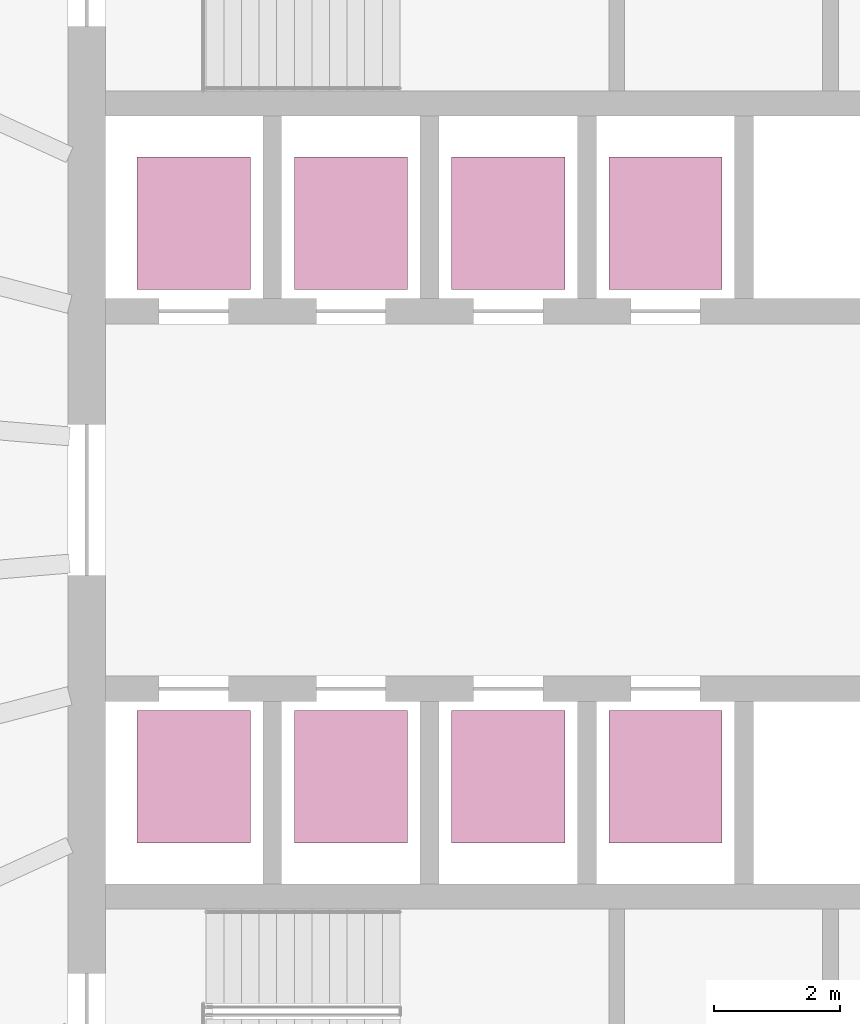
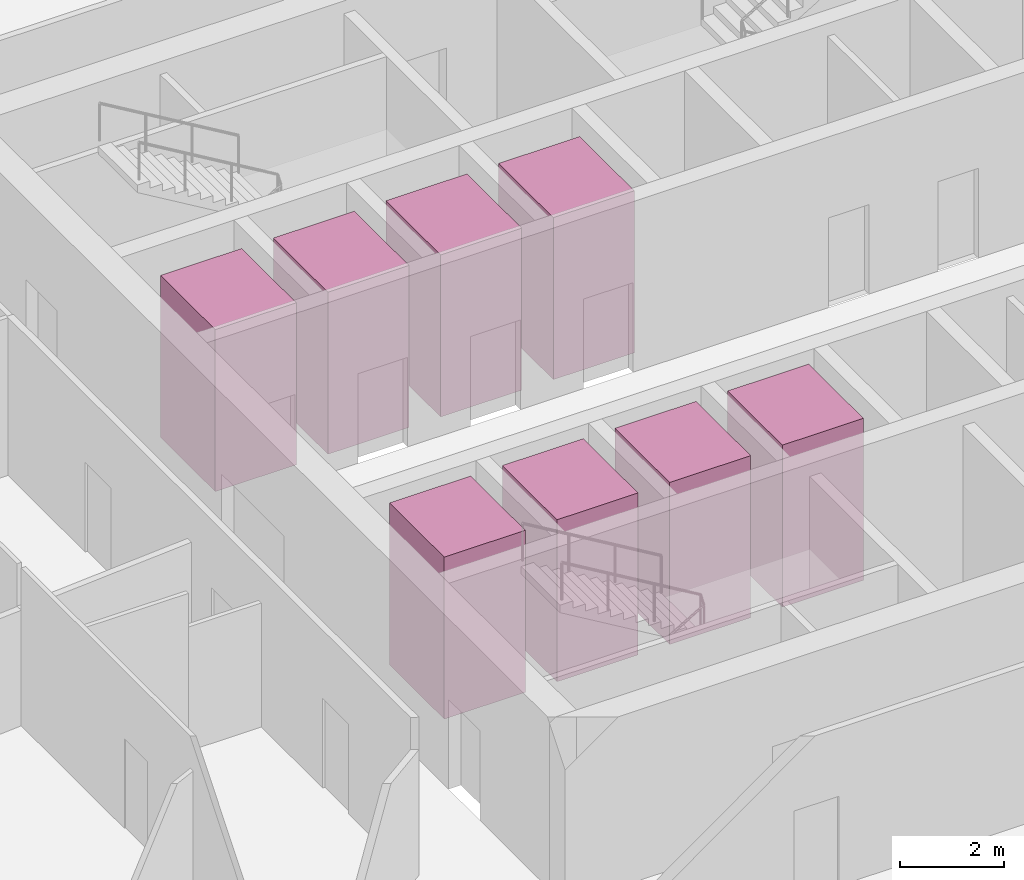
# One storey, part 11 of 11: 8 transport elements.
"""IFC4 building model written with IfcOpenShell, lengths in metres."""

from ifc_helpers import new_model, si_unit, direction, frame, origin, origin_2d, place, context, subcontext, project, spatial, rectangle, extrude, material, type_object, element, save


model = new_model("IFC4")

# Units and contexts
model_context = context("Model", 3, precision=1e-05, world=origin(), true_north=direction((0.0, 1.0)))
body_context = subcontext(model_context, "Body", "Model", "MODEL_VIEW")
ifc_project = project(units=[si_unit("LENGTHUNIT", "METRE"), si_unit("AREAUNIT", "SQUARE_METRE"), si_unit("VOLUMEUNIT", "CUBIC_METRE"), si_unit("PLANEANGLEUNIT", "RADIAN"), si_unit("MASSUNIT", "GRAM", prefix="KILO")], contexts=[model_context])

# Site, building, storey
site_placement = place(None, origin())
site = spatial("IfcSite", under=ifc_project, at=site_placement, CompositionType="ELEMENT")
building_placement = place(site_placement, origin())
building = spatial("IfcBuilding", under=site, at=building_placement, Name="Halqa Exchange Tower", CompositionType="ELEMENT")
storey_placement = place(building_placement, frame((0.0, 0.0, 218.89990234375)))
storey = spatial("IfcBuildingStorey", under=building, at=storey_placement, Name="L50", CompositionType="ELEMENT", Elevation=218.89990234375)

# Transport elements
ifc_material = material(Name="Stainless steel", Category="steel")
transport_element_type_1 = type_object("IfcTransportElementType", Name="High-rise passenger lift 1800 x 2100", PredefinedType="ELEVATOR", material=ifc_material)
for number, where, z_axis, x_axis, name in (
    (1, (-10.0, 4.39990234375, 0.0), (0.0, 0.0, 1.0), (1.0, 0.0, 0.0), "High-rise passenger lift HR1"),
    (2, (-7.5, 4.39990234375, 0.0), (0.0, 0.0, 1.0), (1.0, 0.0, 0.0), "High-rise passenger lift HR2"),
    (3, (-10.0, -4.39990234375, 0.0), (0.0, 0.0, 1.0), (1.0, 0.0, 0.0), "High-rise passenger lift HR3"),
    (4, (-7.5, -4.39990234375, 0.0), (0.0, 0.0, 1.0), (1.0, 0.0, 0.0), "High-rise passenger lift HR4"),
):
    element("IfcTransportElement", number, at=place(storey_placement, frame(where, z_axis=z_axis, x_axis=x_axis)), inside=storey, type_object=transport_element_type_1, Name=name, PredefinedType="ELEVATOR", context=body_context, shape_type="SweptSolid", body=[
        extrude(rectangle(XDim=1.800048828125, YDim=2.10009765625, at=origin_2d()), origin(), (0.0, 0.0, 1.0), 3.800048828125),
    ])
transport_element_type_2 = type_object("IfcTransportElementType", Name="Mid-rise passenger lift 1800 x 2100", PredefinedType="ELEVATOR", material=ifc_material)
for number, where, z_axis, x_axis, name in (
    (5, (-5.0, 4.39990234375, 0.0), (0.0, 0.0, 1.0), (1.0, 0.0, 0.0), "Mid-rise passenger lift MR1"),
    (6, (-2.5, 4.39990234375, 0.0), (0.0, 0.0, 1.0), (1.0, 0.0, 0.0), "Mid-rise passenger lift MR2"),
    (7, (-5.0, -4.39990234375, 0.0), (0.0, 0.0, 1.0), (1.0, 0.0, 0.0), "Mid-rise passenger lift MR3"),
    (8, (-2.5, -4.39990234375, 0.0), (0.0, 0.0, 1.0), (1.0, 0.0, 0.0), "Mid-rise passenger lift MR4"),
):
    element("IfcTransportElement", number, at=place(storey_placement, frame(where, z_axis=z_axis, x_axis=x_axis)), inside=storey, type_object=transport_element_type_2, Name=name, PredefinedType="ELEVATOR", context=body_context, shape_type="SweptSolid", body=[
        extrude(rectangle(XDim=1.800048828125, YDim=2.10009765625, at=origin_2d()), origin(), (0.0, 0.0, 1.0), 3.800048828125),
    ])

save(model, "model.ifc")
